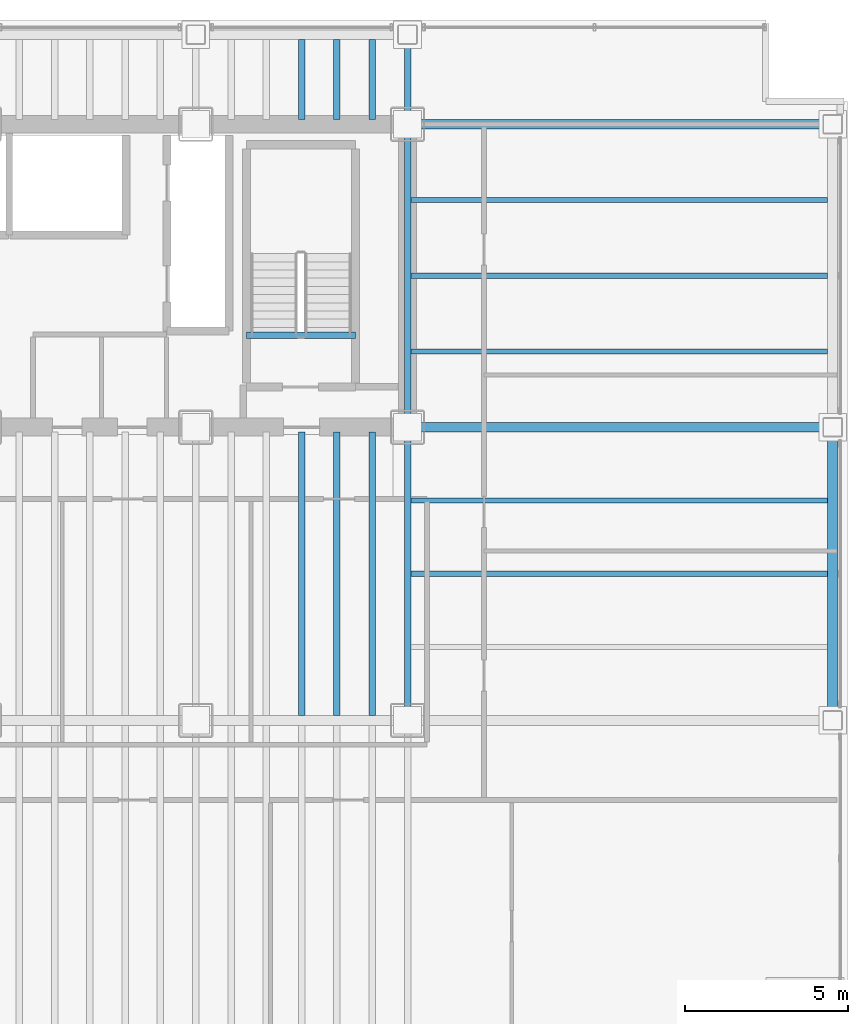
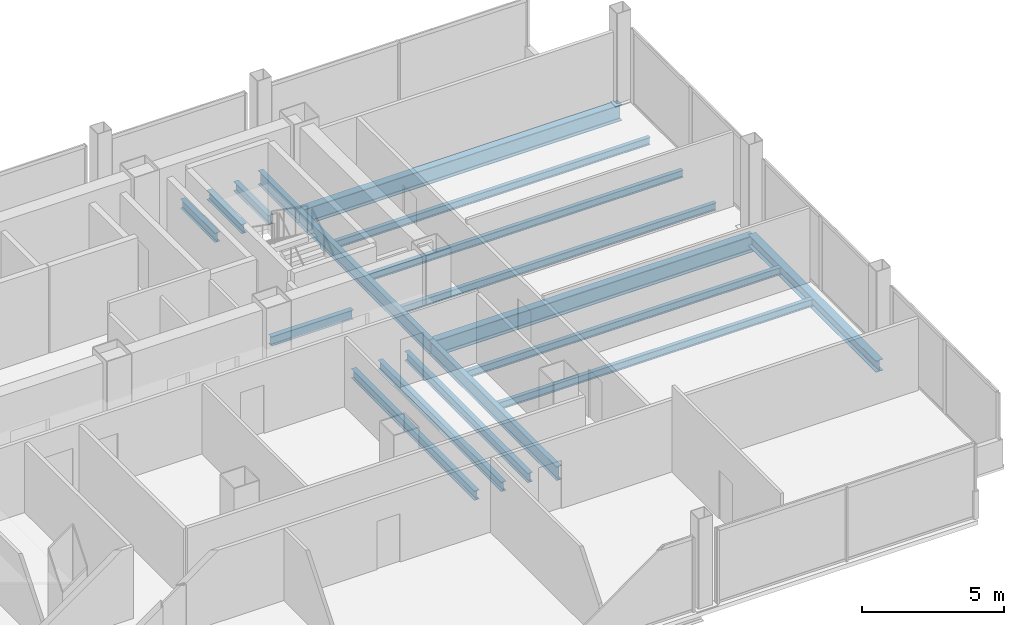
# One storey, part 12 of 21: 18 beams.
"""IFC4 building model written with IfcOpenShell, lengths in metres."""

from ifc_helpers import new_model, si_unit, direction, frame, origin, origin_2d, place, context, subcontext, project, spatial, i_section, extrude, material, material_profile, profile_set, type_object, element, save


model = new_model("IFC4")

# Units and contexts
model_context = context("Model", 3, precision=1e-05, world=origin(), true_north=direction((0.0, 1.0)))
body_context = subcontext(model_context, "Body", "Model", "MODEL_VIEW")
ifc_project = project(units=[si_unit("LENGTHUNIT", "METRE"), si_unit("AREAUNIT", "SQUARE_METRE"), si_unit("VOLUMEUNIT", "CUBIC_METRE"), si_unit("PLANEANGLEUNIT", "RADIAN"), si_unit("MASSUNIT", "GRAM", prefix="KILO")], contexts=[model_context])

# Site, building, storey
site_placement = place(None, origin())
site = spatial("IfcSite", under=ifc_project, at=site_placement, CompositionType="ELEMENT")
building_placement = place(site_placement, origin())
building = spatial("IfcBuilding", under=site, at=building_placement, Name="Noeulbin Bourse Tower", CompositionType="ELEMENT")
storey_placement = place(building_placement, frame((0.0, 0.0, 92.800048828125)))
storey = spatial("IfcBuildingStorey", under=building, at=storey_placement, Name="L23", CompositionType="ELEMENT", Elevation=92.800048828125)

# Beams
ifc_material = material(Name="Steel S355", Category="steel")
ifc_material_profile_1 = material_profile(ifc_material, i_section(OverallWidth=0.199951171875, OverallDepth=0.60009765625, WebThickness=0.010986328125, FlangeThickness=0.01708984375, FilletRadius=0.02197265625, at=origin_2d()), Name="H-600x200x11x17", Category="LoadBearing")
ifc_profile_set_1 = profile_set([ifc_material_profile_1], Name="Steel S355")
beam_type_1 = type_object("IfcBeamType", Name="BM-GRD-600", PredefinedType="USERDEFINED", material=ifc_profile_set_1)
beam_1_placement = place(storey_placement, frame((44.0, 20.0, -0.47998046875), z_axis=(0.0, 1.0, 0.0), x_axis=(-1.0, 0.0, 0.0)))
element("IfcBeam", 1, at=beam_1_placement, inside=storey, type_object=beam_type_1, Name="Tower Primary Girder NS L23-5.2", ObjectType="GIRDER", PredefinedType="USERDEFINED", context=body_context, shape_type="SweptSolid", body=[
    extrude(i_section(OverallWidth=0.199951171875, OverallDepth=0.60009765625, WebThickness=0.010986328125, FlangeThickness=0.01708984375, FilletRadius=0.02197265625, at=origin_2d()), origin(), (0.0, 0.0, 1.0), 9.0),
])
beam_2_placement = place(storey_placement, frame((44.0, 29.0, -0.47998046875), z_axis=(0.0, 1.0, 0.0), x_axis=(-1.0, 0.0, 0.0)))
element("IfcBeam", 2, at=beam_2_placement, inside=storey, type_object=beam_type_1, Name="Tower Primary Girder NS L23-5.3", ObjectType="GIRDER", PredefinedType="USERDEFINED", context=body_context, shape_type="SweptSolid", body=[
    extrude(i_section(OverallWidth=0.199951171875, OverallDepth=0.60009765625, WebThickness=0.010986328125, FlangeThickness=0.01708984375, FilletRadius=0.02197265625, at=origin_2d()), origin(), (0.0, 0.0, 1.0), 9.300048828125),
])
beam_3_placement = place(storey_placement, frame((44.0, 38.300048828125, -0.47998046875), z_axis=(0.0, 1.0, 0.0), x_axis=(-1.0, 0.0, 0.0)))
element("IfcBeam", 3, at=beam_3_placement, inside=storey, type_object=beam_type_1, Name="Tower Primary Girder NS L23-5.4", ObjectType="GIRDER", PredefinedType="USERDEFINED", context=body_context, shape_type="SweptSolid", body=[
    extrude(i_section(OverallWidth=0.199951171875, OverallDepth=0.60009765625, WebThickness=0.010986328125, FlangeThickness=0.01708984375, FilletRadius=0.02197265625, at=origin_2d()), origin(), (0.0, 0.0, 1.0), 2.75),
])
ifc_material_profile_2 = material_profile(ifc_material, i_section(OverallWidth=0.300048828125, OverallDepth=0.699951171875, WebThickness=0.012939453125, FlangeThickness=0.02392578125, FilletRadius=0.02392578125, at=origin_2d()), Name="H-700x300x13x24", Category="LoadBearing")
ifc_profile_set_2 = profile_set([ifc_material_profile_2], Name="Steel S355")
beam_type_2 = type_object("IfcBeamType", Name="BM-GRD-700", PredefinedType="USERDEFINED", material=ifc_profile_set_2)
for number, where, z_axis, x_axis, name in (
    (4, (44.0, 29.0, -0.530029296875), (1.0, 0.0, 0.0), (0.0, 1.0, 0.0), "Tower Primary Girder EW L23-2.6"),
    (5, (44.0, 38.300048828125, -0.530029296875), (1.0, 0.0, 0.0), (0.0, 1.0, 0.0), "Tower Primary Girder EW L23-3.6"),
):
    element("IfcBeam", number, at=place(storey_placement, frame(where, z_axis=z_axis, x_axis=x_axis)), inside=storey, type_object=beam_type_2, Name=name, ObjectType="GIRDER", PredefinedType="USERDEFINED", context=body_context, shape_type="SweptSolid", body=[
        extrude(i_section(OverallWidth=0.300048828125, OverallDepth=0.699951171875, WebThickness=0.012939453125, FlangeThickness=0.02392578125, FilletRadius=0.02392578125, at=origin_2d()), origin(), (0.0, 0.0, 1.0), 13.050048828125),
    ])
ifc_material_profile_3 = material_profile(ifc_material, i_section(OverallWidth=0.159912109375, OverallDepth=0.320068359375, WebThickness=0.006591796875, FlangeThickness=0.010009765625, FilletRadius=0.012939453125, at=origin_2d()), Name="H-320x160x6.5x10", Category="LoadBearing")
ifc_profile_set_3 = profile_set([ifc_material_profile_3], Name="Steel S355")
beam_type_3 = type_object("IfcBeamType", Name="BM-JST-320", PredefinedType="JOIST", material=ifc_profile_set_3)
for number, where, z_axis, x_axis, name in (
    (6, (44.10009765625, 24.5, -0.340087890625), (1.0, 0.0, 0.0), (0.0, 1.0, 0.0), "Wing Composite Joist L23-E77"),
    (7, (44.10009765625, 26.75, -0.340087890625), (1.0, 0.0, 0.0), (0.0, 1.0, 0.0), "Wing Composite Joist L23-E78"),
    (8, (44.10009765625, 31.324951171875, -0.340087890625), (1.0, 0.0, 0.0), (0.0, 1.0, 0.0), "Wing Composite Joist L23-E79"),
    (9, (44.10009765625, 33.64990234375, -0.340087890625), (1.0, 0.0, 0.0), (0.0, 1.0, 0.0), "Wing Composite Joist L23-E80"),
    (10, (44.10009765625, 35.97509765625, -0.340087890625), (1.0, 0.0, 0.0), (0.0, 1.0, 0.0), "Wing Composite Joist L23-E81"),
):
    element("IfcBeam", number, at=place(storey_placement, frame(where, z_axis=z_axis, x_axis=x_axis)), inside=storey, type_object=beam_type_3, Name=name, PredefinedType="JOIST", context=body_context, shape_type="SweptSolid", body=[
        extrude(i_section(OverallWidth=0.159912109375, OverallDepth=0.320068359375, WebThickness=0.006591796875, FlangeThickness=0.010009765625, FilletRadius=0.012939453125, at=origin_2d()), origin(), (0.0, 0.0, 1.0), 12.7998046875),
    ])
ifc_material_profile_4 = material_profile(ifc_material, i_section(OverallWidth=0.199951171875, OverallDepth=0.39990234375, WebThickness=0.008056640625, FlangeThickness=0.012939453125, FilletRadius=0.01611328125, at=origin_2d()), Name="H-400x200x8x13", Category="LoadBearing")
ifc_profile_set_4 = profile_set([ifc_material_profile_4], Name="Steel S355")
beam_type_4 = type_object("IfcBeamType", Name="BM-SEC-400", PredefinedType="BEAM", material=ifc_profile_set_4)
beam_4_placement = place(storey_placement, frame((40.75, 20.14990234375, -0.380126953125), z_axis=(0.0, 1.0, 0.0), x_axis=(-1.0, 0.0, 0.0)))
element("IfcBeam", 11, at=beam_4_placement, inside=storey, type_object=beam_type_4, Name="Tower Composite Joist L23-62", PredefinedType="BEAM", context=body_context, shape_type="SweptSolid", body=[
    extrude(i_section(OverallWidth=0.199951171875, OverallDepth=0.39990234375, WebThickness=0.008056640625, FlangeThickness=0.012939453125, FilletRadius=0.01611328125, at=origin_2d()), origin(), (0.0, 0.0, 1.0), 8.7001953125),
])
beam_5_placement = place(storey_placement, frame((40.75, 38.449951171875, -0.380126953125), z_axis=(0.0, 1.0, 0.0), x_axis=(-1.0, 0.0, 0.0)))
element("IfcBeam", 12, at=beam_5_placement, inside=storey, type_object=beam_type_4, Name="Tower Composite Joist L23-63", PredefinedType="BEAM", context=body_context, shape_type="SweptSolid", body=[
    extrude(i_section(OverallWidth=0.199951171875, OverallDepth=0.39990234375, WebThickness=0.008056640625, FlangeThickness=0.012939453125, FilletRadius=0.01611328125, at=origin_2d()), origin(), (0.0, 0.0, 1.0), 2.449951171875),
])
beam_6_placement = place(storey_placement, frame((41.833251953125, 20.14990234375, -0.380126953125), z_axis=(0.0, 1.0, 0.0), x_axis=(-1.0, 0.0, 0.0)))
element("IfcBeam", 13, at=beam_6_placement, inside=storey, type_object=beam_type_4, Name="Tower Composite Joist L23-65", PredefinedType="BEAM", context=body_context, shape_type="SweptSolid", body=[
    extrude(i_section(OverallWidth=0.199951171875, OverallDepth=0.39990234375, WebThickness=0.008056640625, FlangeThickness=0.012939453125, FilletRadius=0.01611328125, at=origin_2d()), origin(), (0.0, 0.0, 1.0), 8.7001953125),
])
beam_7_placement = place(storey_placement, frame((41.833251953125, 38.449951171875, -0.380126953125), z_axis=(0.0, 1.0, 0.0), x_axis=(-1.0, 0.0, 0.0)))
element("IfcBeam", 14, at=beam_7_placement, inside=storey, type_object=beam_type_4, Name="Tower Composite Joist L23-66", PredefinedType="BEAM", context=body_context, shape_type="SweptSolid", body=[
    extrude(i_section(OverallWidth=0.199951171875, OverallDepth=0.39990234375, WebThickness=0.008056640625, FlangeThickness=0.012939453125, FilletRadius=0.01611328125, at=origin_2d()), origin(), (0.0, 0.0, 1.0), 2.449951171875),
])
beam_8_placement = place(storey_placement, frame((42.916748046875, 20.14990234375, -0.380126953125), z_axis=(0.0, 1.0, 0.0), x_axis=(-1.0, 0.0, 0.0)))
element("IfcBeam", 15, at=beam_8_placement, inside=storey, type_object=beam_type_4, Name="Tower Composite Joist L23-68", PredefinedType="BEAM", context=body_context, shape_type="SweptSolid", body=[
    extrude(i_section(OverallWidth=0.199951171875, OverallDepth=0.39990234375, WebThickness=0.008056640625, FlangeThickness=0.012939453125, FilletRadius=0.01611328125, at=origin_2d()), origin(), (0.0, 0.0, 1.0), 8.7001953125),
])
beam_9_placement = place(storey_placement, frame((42.916748046875, 38.449951171875, -0.380126953125), z_axis=(0.0, 1.0, 0.0), x_axis=(-1.0, 0.0, 0.0)))
element("IfcBeam", 16, at=beam_9_placement, inside=storey, type_object=beam_type_4, Name="Tower Composite Joist L23-69", PredefinedType="BEAM", context=body_context, shape_type="SweptSolid", body=[
    extrude(i_section(OverallWidth=0.199951171875, OverallDepth=0.39990234375, WebThickness=0.008056640625, FlangeThickness=0.012939453125, FilletRadius=0.01611328125, at=origin_2d()), origin(), (0.0, 0.0, 1.0), 2.449951171875),
])
beam_10_placement = place(storey_placement, frame((39.06005859375, 31.820068359375, -0.199951171875), z_axis=(1.0, 0.0, 0.0), x_axis=(0.0, 1.0, 0.0)))
element("IfcBeam", 17, at=beam_10_placement, inside=storey, type_object=beam_type_4, Name="Stair Threshold Trimmer Beam ST2-L23", PredefinedType="BEAM", context=body_context, shape_type="SweptSolid", body=[
    extrude(i_section(OverallWidth=0.199951171875, OverallDepth=0.39990234375, WebThickness=0.008056640625, FlangeThickness=0.012939453125, FilletRadius=0.01611328125, at=origin_2d()), origin(), (0.0, 0.0, 1.0), 3.33984375),
])
ifc_material_profile_5 = material_profile(ifc_material, i_section(OverallWidth=0.300048828125, OverallDepth=0.488037109375, WebThickness=0.010986328125, FlangeThickness=0.01806640625, FilletRadius=0.02197265625, at=origin_2d()), Name="H-488x300x11x18", Category="LoadBearing")
ifc_profile_set_5 = profile_set([ifc_material_profile_5], Name="Steel S355")
beam_type_5 = type_object("IfcBeamType", Name="BM-SPN-488", PredefinedType="SPANDREL", material=ifc_profile_set_5)
beam_11_placement = place(storey_placement, frame((57.050048828125, 20.0, -0.424072265625), z_axis=(0.0, 1.0, 0.0), x_axis=(-1.0, 0.0, 0.0)))
element("IfcBeam", 18, at=beam_11_placement, inside=storey, type_object=beam_type_5, Name="East Spandrel L23-1", PredefinedType="SPANDREL", context=body_context, shape_type="SweptSolid", body=[
    extrude(i_section(OverallWidth=0.300048828125, OverallDepth=0.488037109375, WebThickness=0.010986328125, FlangeThickness=0.01806640625, FilletRadius=0.02197265625, at=origin_2d()), origin(), (0.0, 0.0, 1.0), 9.0),
])

save(model, "model.ifc")
